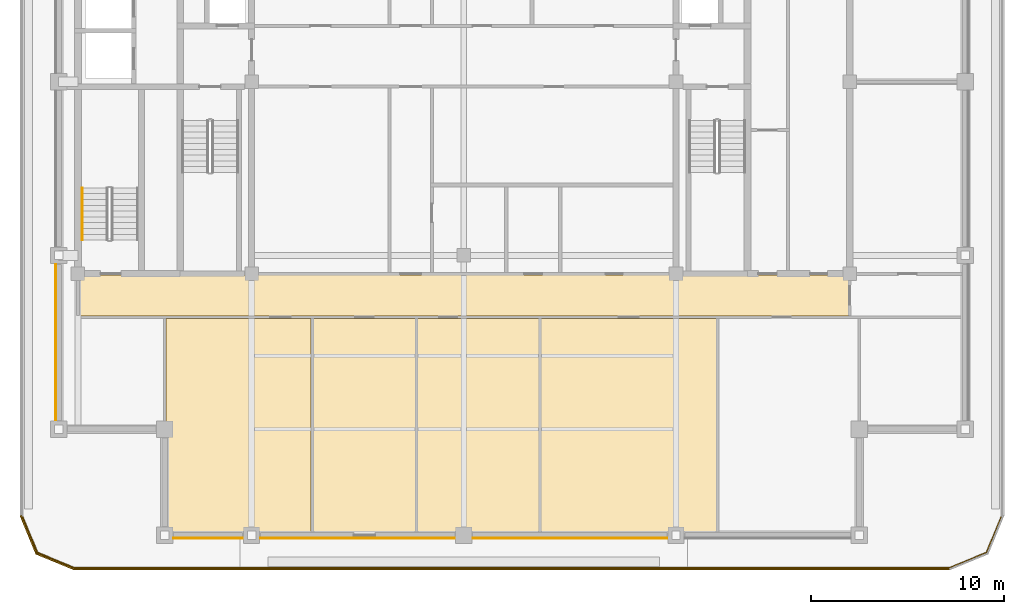
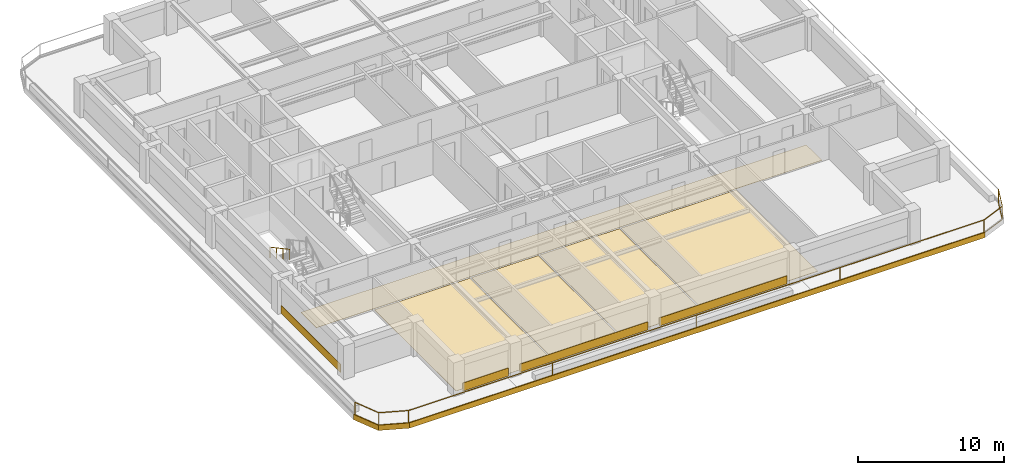
# One storey, part 6 of 10: 12 coverings, 2 railings.
"""IFC4 building model written with IfcOpenShell, lengths in metres."""

from ifc_helpers import new_model, si_unit, direction, frame, frame_2d, origin, origin_2d, place, context, subcontext, project, spatial, polyline, rectangle, outline, extrude, material, layer, layer_set, type_object, element, save


model = new_model("IFC4")

# Units and contexts
model_context = context("Model", 3, precision=1e-05, world=origin(), true_north=direction((0.0, 1.0)))
body_context = subcontext(model_context, "Body", "Model", "MODEL_VIEW")
ifc_project = project(units=[si_unit("LENGTHUNIT", "METRE"), si_unit("AREAUNIT", "SQUARE_METRE"), si_unit("VOLUMEUNIT", "CUBIC_METRE"), si_unit("PLANEANGLEUNIT", "RADIAN"), si_unit("MASSUNIT", "GRAM", prefix="KILO")], contexts=[model_context])

# Site, building, storey
site_placement = place(None, origin())
site = spatial("IfcSite", under=ifc_project, at=site_placement, CompositionType="ELEMENT")
building_placement = place(site_placement, origin())
building = spatial("IfcBuilding", under=site, at=building_placement, Name="Zulmaris Gate Convention Tower", CompositionType="ELEMENT")
storey_placement = place(building_placement, frame((0.0, 0.0, 246.199951171875)))
storey = spatial("IfcBuildingStorey", under=building, at=storey_placement, Name="L65", CompositionType="ELEMENT", Elevation=246.199951171875)

# Coverings
ifc_material_1 = material(Name="Precast concrete C40/50", Category="concrete")
ifc_layer_1 = layer(ifc_material_1, 0.0400390625, Name="Precast concrete C40/50")
ifc_layer_set_1 = layer_set([ifc_layer_1], Name="Precast concrete C40/50")
covering_type_1 = type_object("IfcCoveringType", Name="CLAD-SPANDREL-PRECAST", PredefinedType="CLADDING", material=ifc_layer_set_1)
covering_1_placement = place(storey_placement, frame((-15.044921875, -23.64990234375, 0.0), z_axis=(0.0, 0.0, 1.0), x_axis=(1.0, 0.0, 0.0)))
element("IfcCovering", 1, at=covering_1_placement, inside=storey, type_object=covering_type_1, Name="CLD-L65-S-0_0", PredefinedType="CLADDING", context=body_context, shape_type="SweptSolid", body=[
    extrude(rectangle(XDim=3.58984375, YDim=0.0400390625, at=frame_2d((1.794921875, 0.0))), origin(), (0.0, 0.0, 1.0), 0.679931640625),
])
for number, where, z_axis, x_axis, name in (
    (2, (-10.544921875, -23.64990234375, 0.0), (0.0, 0.0, 1.0), (1.0, 0.0, 0.0), "CLD-L65-S-1_0"),
    (3, (0.455078125, -23.64990234375, 0.0), (0.0, 0.0, 1.0), (1.0, 0.0, 0.0), "CLD-L65-S-2_0"),
):
    element("IfcCovering", number, at=place(storey_placement, frame(where, z_axis=z_axis, x_axis=x_axis)), inside=storey, type_object=covering_type_1, Name=name, PredefinedType="CLADDING", context=body_context, shape_type="SweptSolid", body=[
        extrude(rectangle(XDim=10.08984375, YDim=0.0400390625, at=frame_2d((5.044921875, 0.0))), origin(), (0.0, 0.0, 1.0), 0.679931640625),
    ])
covering_2_placement = place(storey_placement, frame((-21.14990234375, -9.455078125, 0.0), z_axis=(0.0, 0.0, 1.0), x_axis=(0.0, -1.0, 0.0)))
element("IfcCovering", 4, at=covering_2_placement, inside=storey, type_object=covering_type_1, Name="CLD-L65-W-0_0", PredefinedType="CLADDING", context=body_context, shape_type="SweptSolid", body=[
    extrude(rectangle(XDim=8.08984375, YDim=0.0400390625, at=frame_2d((4.044921875, 0.0))), origin(), (0.0, 0.0, 1.0), 0.679931640625),
])
ifc_material_2 = material(Name="White Glazed Architectural Precast Concrete C40/50", Category="concrete")
ifc_layer_2 = layer(ifc_material_2, 0.080078125, Name="White Glazed Architectural Precast Concrete C40/50")
ifc_layer_set_2 = layer_set([ifc_layer_2], Name="White Glazed Architectural Precast Concrete C40/50")
covering_type_2 = type_object("IfcCoveringType", Name="CLAD-TRAY-FASCIA", PredefinedType="CLADDING", material=ifc_layer_set_2)
covering_3_placement = place(storey_placement, frame((-22.962890625, -22.484619140625, -0.2900390625), z_axis=(0.0, 0.0, 1.0), x_axis=(0.382656984709, -0.923890487046, 0.0)))
element("IfcCovering", 5, at=covering_3_placement, inside=storey, type_object=covering_type_2, Name="FSC-L65-TR-00", PredefinedType="CLADDING", context=body_context, shape_type="SweptSolid", body=[
    extrude(rectangle(XDim=2.14306640625, YDim=0.080078125, at=frame_2d((1.071533203125, 0.0))), origin(), (0.0, 0.0, 1.0), 0.440185546875),
])
covering_4_placement = place(storey_placement, frame((-22.16455078125, -24.44287109375, -0.2900390625), z_axis=(0.0, 0.0, 1.0), x_axis=(0.923873803533, -0.382697263049, 0.0)))
element("IfcCovering", 6, at=covering_4_placement, inside=storey, type_object=covering_type_2, Name="FSC-L65-TR-01", PredefinedType="CLADDING", context=body_context, shape_type="SweptSolid", body=[
    extrude(rectangle(XDim=2.142822265625, YDim=0.080078125, at=frame_2d((1.0712890625, 0.0))), origin(), (0.0, 0.0, 1.0), 0.440185546875),
])
covering_5_placement = place(storey_placement, frame((-20.199951171875, -25.260009765625, -0.2900390625), z_axis=(0.0, 0.0, 1.0), x_axis=(1.0, 0.0, 0.0)))
element("IfcCovering", 7, at=covering_5_placement, inside=storey, type_object=covering_type_2, Name="FSC-L65-TR-02", PredefinedType="CLADDING", context=body_context, shape_type="SweptSolid", body=[
    extrude(rectangle(XDim=45.39990234375, YDim=0.080078125, at=frame_2d((22.699951171875, 0.0))), origin(), (0.0, 0.0, 1.0), 0.440185546875),
])
ifc_material_3 = material(Name="Woven Acoustic Wool Carpet Tile")
ifc_layer_3 = layer(ifc_material_3, 0.02001953125, Name="Woven Acoustic Wool Carpet Tile")
ifc_layer_set_3 = layer_set([ifc_layer_3], Name="Woven Acoustic Wool Carpet Tile")
covering_type_3 = type_object("IfcCoveringType", Name="FLR-CARPET-12", PredefinedType="FLOORING", material=ifc_layer_set_3)
covering_6_placement = place(storey_placement, origin())
element("IfcCovering", 8, at=covering_6_placement, inside=storey, type_object=covering_type_3, Name="FLR-L65-R33", PredefinedType="FLOORING", context=body_context, shape_type="SweptSolid", body=[
    extrude(outline(polyline([(-19.93994140625, -12.139892578125), (19.93994140625, -12.139892578125), (19.93994140625, -10.010009765625), (-19.93994140625, -10.010009765625), (-19.93994140625, -12.139892578125)])), origin(), (0.0, 0.0, 1.0), 0.02001953125),
])
covering_7_placement = place(storey_placement, origin())
element("IfcCovering", 9, at=covering_7_placement, inside=storey, type_object=covering_type_3, Name="FLR-L65-R39", PredefinedType="FLOORING", context=body_context, shape_type="SweptSolid", body=[
    extrude(outline(polyline([(-15.43994140625, -23.43994140625), (-7.909912109375, -23.43994140625), (-7.909912109375, -12.260009765625), (-15.43994140625, -12.260009765625), (-15.43994140625, -23.43994140625)])), origin(), (0.0, 0.0, 1.0), 0.02001953125),
])
covering_8_placement = place(storey_placement, origin())
element("IfcCovering", 10, at=covering_8_placement, inside=storey, type_object=covering_type_3, Name="FLR-L65-R40", PredefinedType="FLOORING", context=body_context, shape_type="SweptSolid", body=[
    extrude(outline(polyline([(-7.7900390625, -23.43994140625), (-2.510009765625, -23.43994140625), (-2.510009765625, -12.260009765625), (-7.7900390625, -12.260009765625), (-7.7900390625, -23.43994140625)])), origin(), (0.0, 0.0, 1.0), 0.02001953125),
])
covering_9_placement = place(storey_placement, origin())
element("IfcCovering", 11, at=covering_9_placement, inside=storey, type_object=covering_type_3, Name="FLR-L65-R41", PredefinedType="FLOORING", context=body_context, shape_type="SweptSolid", body=[
    extrude(outline(polyline([(-2.389892578125, -23.43994140625), (3.889892578125, -23.43994140625), (3.889892578125, -12.260009765625), (-2.389892578125, -12.260009765625), (-2.389892578125, -23.43994140625)])), origin(), (0.0, 0.0, 1.0), 0.02001953125),
])
covering_10_placement = place(storey_placement, origin())
element("IfcCovering", 12, at=covering_10_placement, inside=storey, type_object=covering_type_3, Name="FLR-L65-R42", PredefinedType="FLOORING", context=body_context, shape_type="SweptSolid", body=[
    extrude(outline(polyline([(4.010009765625, -23.43994140625), (13.090087890625, -23.43994140625), (13.090087890625, -12.260009765625), (4.010009765625, -12.260009765625), (4.010009765625, -23.43994140625)])), origin(), (0.0, 0.0, 1.0), 0.02001953125),
])

# Railings
ifc_material_4 = material(Name="Laminated Glass and Stainless Steel", Category="steel")
railing_type_1 = type_object("IfcRailingType", Name="RL-BALC-1150", PredefinedType="BALUSTRADE", material=ifc_material_4)
railing_1_placement = place(storey_placement, frame((-22.8798828125, -22.5, -0.010009765625)))
element("IfcRailing", 13, at=railing_1_placement, inside=storey, type_object=railing_type_1, Name="RL-L65-BALC-S", PredefinedType="BALUSTRADE", context=body_context, shape_type="SweptSolid", body=[
    extrude(rectangle(XDim=0.048095703125, YDim=0.048095703125, at=origin_2d()), frame((0.0, 0.0, 1.1259765625), z_axis=(0.382670664694, -0.92388482095, 0.0), x_axis=(0.92388482095, 0.382670664694, 0.0)), (0.0, 0.0, 1.0), 2.051025390625),
    extrude(rectangle(XDim=0.048095703125, YDim=0.048095703125, at=origin_2d()), frame((0.0, 0.0, 0.02392578125), z_axis=(0.382670664694, -0.92388482095, 0.0), x_axis=(0.92388482095, 0.382670664694, 0.0)), (0.0, 0.0, 1.0), 2.051025390625),
    extrude(rectangle(XDim=0.048095703125, YDim=0.048095703125, at=origin_2d()), frame((0.784912109375, -1.89501953125, 1.1259765625), z_axis=(0.92388482095, -0.382670664694, 0.0), x_axis=(0.382670664694, 0.92388482095, 0.0)), (0.0, 0.0, 1.0), 2.051025390625),
    extrude(rectangle(XDim=0.048095703125, YDim=0.048095703125, at=origin_2d()), frame((0.784912109375, -1.89501953125, 0.02392578125), z_axis=(0.92388482095, -0.382670664694, 0.0), x_axis=(0.382670664694, 0.92388482095, 0.0)), (0.0, 0.0, 1.0), 2.051025390625),
    extrude(rectangle(XDim=0.048095703125, YDim=0.048095703125, at=origin_2d()), frame((2.679931640625, -2.679931640625, 1.1259765625), z_axis=(1.0, 0.0, 0.0), x_axis=(0.0, 1.0, 0.0)), (0.0, 0.0, 1.0), 45.39990234375),
    extrude(rectangle(XDim=0.048095703125, YDim=0.048095703125, at=origin_2d()), frame((2.679931640625, -2.679931640625, 0.02392578125), z_axis=(1.0, 0.0, 0.0), x_axis=(0.0, 1.0, 0.0)), (0.0, 0.0, 1.0), 45.39990234375),
    extrude(rectangle(XDim=0.048095703125, YDim=0.048095703125, at=origin_2d()), frame((48.079833984375, -2.679931640625, 1.1259765625), z_axis=(0.92388482095, 0.382670664694, 0.0), x_axis=(-0.382670664694, 0.92388482095, 0.0)), (0.0, 0.0, 1.0), 2.051025390625),
    extrude(rectangle(XDim=0.048095703125, YDim=0.048095703125, at=origin_2d()), frame((48.079833984375, -2.679931640625, 0.02392578125), z_axis=(0.92388482095, 0.382670664694, 0.0), x_axis=(-0.382670664694, 0.92388482095, 0.0)), (0.0, 0.0, 1.0), 2.051025390625),
    extrude(rectangle(XDim=0.048095703125, YDim=0.048095703125, at=origin_2d()), frame((49.974853515625, -1.89501953125, 1.1259765625), z_axis=(0.382670664694, 0.92388482095, 0.0), x_axis=(-0.92388482095, 0.382670664694, 0.0)), (0.0, 0.0, 1.0), 2.051025390625),
    extrude(rectangle(XDim=0.048095703125, YDim=0.048095703125, at=origin_2d()), frame((49.974853515625, -1.89501953125, 0.02392578125), z_axis=(0.382670664694, 0.92388482095, 0.0), x_axis=(-0.92388482095, 0.382670664694, 0.0)), (0.0, 0.0, 1.0), 2.051025390625),
    extrude(rectangle(XDim=0.0419921875, YDim=0.0419921875, at=origin_2d()), origin(), (0.0, 0.0, 1.0), 1.101806640625),
    extrude(rectangle(XDim=0.0419921875, YDim=0.0419921875, at=origin_2d()), frame((0.784912109375, -1.89501953125, 0.0)), (0.0, 0.0, 1.0), 1.101806640625),
    extrude(rectangle(XDim=0.0419921875, YDim=0.0419921875, at=origin_2d()), frame((2.679931640625, -2.679931640625, 0.0)), (0.0, 0.0, 1.0), 1.101806640625),
    extrude(rectangle(XDim=0.0419921875, YDim=0.0419921875, at=origin_2d()), frame((14.02978515625, -2.679931640625, 0.0)), (0.0, 0.0, 1.0), 1.101806640625),
    extrude(rectangle(XDim=0.0419921875, YDim=0.0419921875, at=origin_2d()), frame((25.3798828125, -2.679931640625, 0.0)), (0.0, 0.0, 1.0), 1.101806640625),
    extrude(rectangle(XDim=0.0419921875, YDim=0.0419921875, at=origin_2d()), frame((36.72998046875, -2.679931640625, 0.0)), (0.0, 0.0, 1.0), 1.101806640625),
    extrude(rectangle(XDim=0.0419921875, YDim=0.0419921875, at=origin_2d()), frame((48.079833984375, -2.679931640625, 0.0)), (0.0, 0.0, 1.0), 1.101806640625),
    extrude(rectangle(XDim=0.0419921875, YDim=0.0419921875, at=origin_2d()), frame((49.974853515625, -1.89501953125, 0.0)), (0.0, 0.0, 1.0), 1.101806640625),
    extrude(rectangle(XDim=0.0419921875, YDim=0.0419921875, at=origin_2d()), frame((50.759765625, 0.0, 0.0)), (0.0, 0.0, 1.0), 1.101806640625),
])
ifc_material_5 = material(Name="Brushed Stainless Steel", Category="steel")
railing_type_2 = type_object("IfcRailingType", Name="RL-STH-900", PredefinedType="HANDRAIL", material=ifc_material_5)
railing_2_placement = place(storey_placement, frame((-19.77001953125, -5.5, 1.776611328125)))
element("IfcRailing", 14, at=railing_2_placement, inside=storey, type_object=railing_type_2, Name="L65 ST-3 stair handrail 2", PredefinedType="HANDRAIL", context=body_context, shape_type="SweptSolid", body=[
    extrude(rectangle(XDim=0.048095703125, YDim=0.048095703125, at=origin_2d()), frame((0.0, 0.0, 0.8759765625), z_axis=(0.0, -0.880532452117, 0.47398586558), x_axis=(1.0, 0.0, 0.0)), (0.0, 0.0, 1.0), 3.066162109375),
    extrude(rectangle(XDim=0.0419921875, YDim=0.0419921875, at=origin_2d()), origin(), (0.0, 0.0, 1.0), 0.851806640625),
    extrude(rectangle(XDim=0.0419921875, YDim=0.0419921875, at=origin_2d()), frame((0.0, -0.89990234375, 0.484375)), (0.0, 0.0, 1.0), 0.851806640625),
    extrude(rectangle(XDim=0.0419921875, YDim=0.0419921875, at=origin_2d()), frame((0.0, -1.800048828125, 0.968994140625)), (0.0, 0.0, 1.0), 0.851806640625),
    extrude(rectangle(XDim=0.0419921875, YDim=0.0419921875, at=origin_2d()), frame((0.0, -2.699951171875, 1.453369140625)), (0.0, 0.0, 1.0), 0.851806640625),
])

save(model, "model.ifc")
